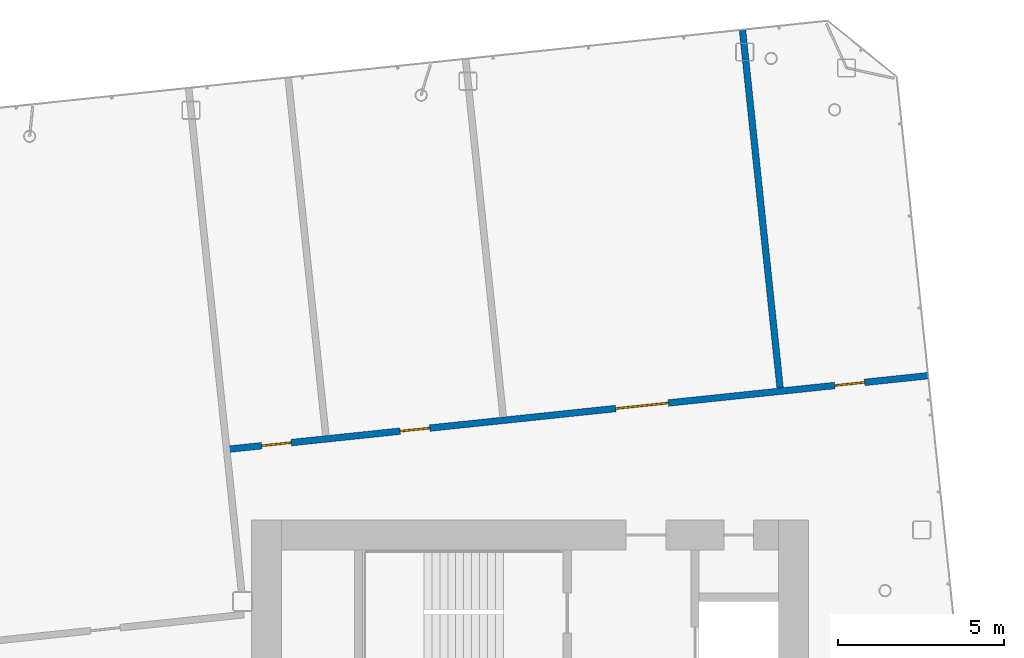
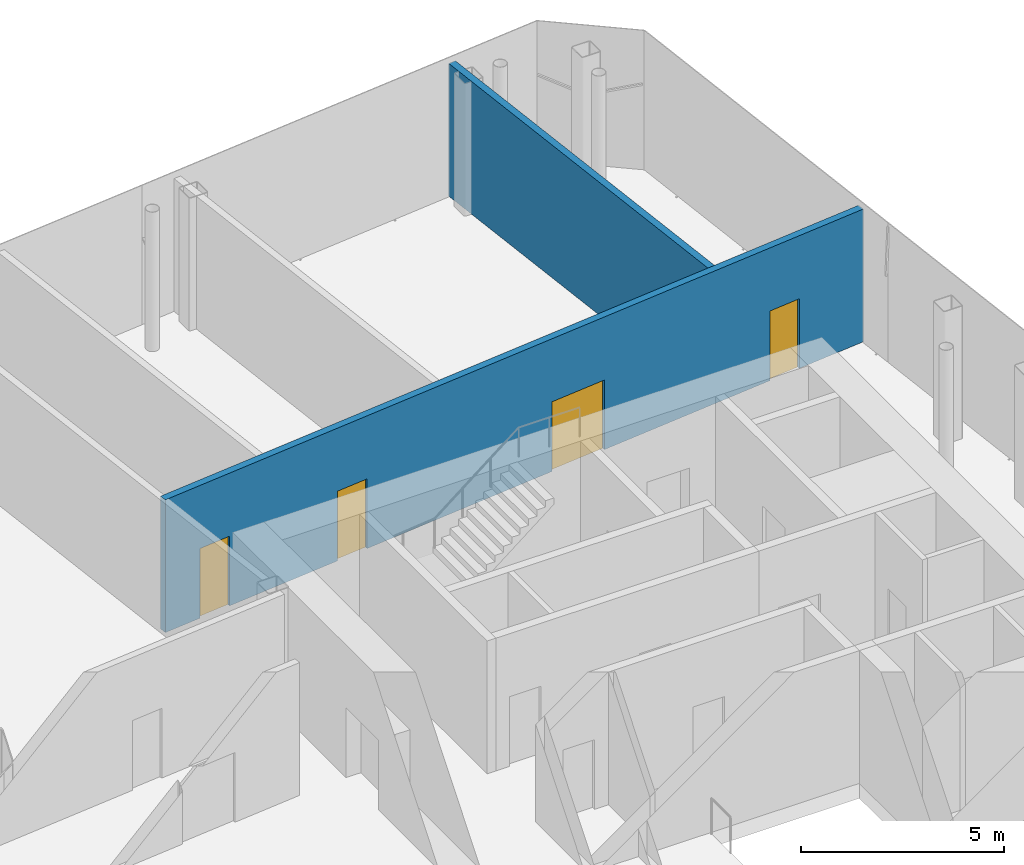
# One storey, part 11 of 28: 4 doors, 2 walls, 4 openings.
"""IFC4 building model written with IfcOpenShell, lengths in metres."""

from ifc_helpers import new_model, si_unit, direction, frame, frame_2d, origin, place, context, subcontext, project, spatial, rectangle, extrude, material, layer, layer_set, type_object, element, fill, save


model = new_model("IFC4")

# Units and contexts
model_context = context("Model", 3, precision=1e-05, world=origin(), true_north=direction((0.0, 1.0)))
body_context = subcontext(model_context, "Body", "Model", "MODEL_VIEW")
ifc_project = project(units=[si_unit("LENGTHUNIT", "METRE"), si_unit("AREAUNIT", "SQUARE_METRE"), si_unit("VOLUMEUNIT", "CUBIC_METRE"), si_unit("PLANEANGLEUNIT", "RADIAN"), si_unit("MASSUNIT", "GRAM", prefix="KILO")], contexts=[model_context])

# Site, building, storey
site_placement = place(None, origin())
site = spatial("IfcSite", under=ifc_project, at=site_placement, CompositionType="ELEMENT")
building_placement = place(site_placement, origin())
building = spatial("IfcBuilding", under=site, at=building_placement, Name="Hakoniwa Tower and Hamabe Station Hall", CompositionType="ELEMENT")
storey_placement = place(building_placement, frame((0.0, 0.0, 280.800048828125)))
storey = spatial("IfcBuildingStorey", under=building, at=storey_placement, Name="L78", CompositionType="ELEMENT", Elevation=280.800048828125)

# Wall, openings, doors
ifc_material_1 = material(Name="Fire-rated gypsum board partition", Category="gypsum")
ifc_layer_1 = layer(ifc_material_1, 0.199951171875)
ifc_layer_set_1 = layer_set([ifc_layer_1], Name="Corridor Wall 200")
wall_type_1 = type_object("IfcWallType", Name="Corridor Wall 200", PredefinedType="PARTITIONING", material=ifc_layer_set_1)
wall_1_placement = place(storey_placement, frame((16.04833984375, 10.533203125, 0.0), z_axis=(0.0, 0.0, 1.0), x_axis=(0.994522460242, 0.104523088709, 0.0)))
wall_1 = element("IfcWall", 1, at=wall_1_placement, inside=storey, type_object=wall_type_1, Name="GW-L78-005", PredefinedType="PARTITIONING", context=body_context, shape_type="SweptSolid", body=[
    extrude(rectangle(XDim=21.2998046875, YDim=0.199951171875, at=frame_2d((10.64990234375, 0.0))), origin(), (0.0, 0.0, 1.0), 4.0),
])
opening_1_placement = place(wall_1_placement, frame((1.06005859375, 0.0, 0.0)))
opening_1 = element("IfcOpeningElement", 2, at=opening_1_placement, cuts=wall_1, Name="Opening GD-SL78-14", PredefinedType="OPENING", context=body_context, shape_type="SweptSolid", body=[
    extrude(rectangle(XDim=0.89990234375, YDim=2.10009765625, at=frame_2d((0.449951171875, 1.050048828125))), frame((0.0, 0.10986328125, 0.0), z_axis=(0.0, -1.0, 0.0), x_axis=(1.0, 0.0, 0.0)), (0.0, 0.0, 1.0), 0.219970703125),
])
opening_2_placement = place(wall_1_placement, frame((5.260009765625, 0.0, 0.0)))
opening_2 = element("IfcOpeningElement", 3, at=opening_2_placement, cuts=wall_1, Name="Opening GD-SL78-15", PredefinedType="OPENING", context=body_context, shape_type="SweptSolid", body=[
    extrude(rectangle(XDim=0.89990234375, YDim=2.10009765625, at=frame_2d((0.449951171875, 1.050048828125))), frame((0.0, 0.10986328125, 0.0), z_axis=(0.0, -1.0, 0.0), x_axis=(1.0, 0.0, 0.0)), (0.0, 0.0, 1.0), 0.219970703125),
])
opening_3_placement = place(wall_1_placement, frame((11.800048828125, 0.0, 0.0)))
opening_3 = element("IfcOpeningElement", 4, at=opening_3_placement, cuts=wall_1, Name="Opening GD-SL78-16", PredefinedType="OPENING", context=body_context, shape_type="SweptSolid", body=[
    extrude(rectangle(XDim=1.60009765625, YDim=2.10009765625, at=frame_2d((0.800048828125, 1.050048828125))), frame((0.0, 0.10986328125, 0.0), z_axis=(0.0, -1.0, 0.0), x_axis=(1.0, 0.0, 0.0)), (0.0, 0.0, 1.0), 0.219970703125),
])
opening_4_placement = place(wall_1_placement, frame((18.449951171875, 0.0, 0.0)))
opening_4 = element("IfcOpeningElement", 5, at=opening_4_placement, cuts=wall_1, Name="Opening GD-SL78-17", PredefinedType="OPENING", context=body_context, shape_type="SweptSolid", body=[
    extrude(rectangle(XDim=0.89990234375, YDim=2.10009765625, at=frame_2d((0.449951171875, 1.050048828125))), frame((0.0, 0.10986328125, 0.0), z_axis=(0.0, -1.0, 0.0), x_axis=(1.0, 0.0, 0.0)), (0.0, 0.0, 1.0), 0.219970703125),
])
ifc_material_2 = material(Name="Timber door leaf", Category="wood")
door_type_1 = type_object("IfcDoorType", Name="Double Door 1600", OperationType="DOUBLE_DOOR_SINGLE_SWING", PredefinedType="DOOR", material=ifc_material_2)
door_1_placement = place(opening_3_placement, origin())
door_1 = element("IfcDoor", 6, at=door_1_placement, inside=storey, type_object=door_type_1, Name="Door GD-SL78-16", OperationType="DOUBLE_DOOR_SINGLE_SWING", OverallHeight=2.10009765625, OverallWidth=1.60009765625, PredefinedType="DOOR", context=body_context, shape_type="SweptSolid", body=[
    extrude(rectangle(XDim=1.60009765625, YDim=2.10009765625, at=frame_2d((0.800048828125, 1.050048828125))), frame((0.0, 0.02490234375, 0.0), z_axis=(0.0, -1.0, 0.0), x_axis=(1.0, 0.0, 0.0)), (0.0, 0.0, 1.0), 0.050048828125),
])
fill(opening_3, door_1)
ifc_material_3 = material(Name="Timber door leaf", Category="wood")
door_type_2 = type_object("IfcDoorType", Name="Service Door 900", OperationType="SINGLE_SWING_LEFT", PredefinedType="DOOR", material=ifc_material_3)
door_2_placement = place(opening_1_placement, origin())
door_2 = element("IfcDoor", 7, at=door_2_placement, inside=storey, type_object=door_type_2, Name="Door GD-SL78-14", OperationType="SINGLE_SWING_RIGHT", OverallHeight=2.10009765625, OverallWidth=0.89990234375, PredefinedType="DOOR", context=body_context, shape_type="SweptSolid", body=[
    extrude(rectangle(XDim=0.89990234375, YDim=2.10009765625, at=frame_2d((0.449951171875, 1.050048828125))), frame((0.0, 0.02490234375, 0.0), z_axis=(0.0, -1.0, 0.0), x_axis=(1.0, 0.0, 0.0)), (0.0, 0.0, 1.0), 0.050048828125),
])
fill(opening_1, door_2)
door_3_placement = place(opening_2_placement, origin())
door_3 = element("IfcDoor", 8, at=door_3_placement, inside=storey, type_object=door_type_2, Name="Door GD-SL78-15", OperationType="SINGLE_SWING_LEFT", OverallHeight=2.10009765625, OverallWidth=0.89990234375, PredefinedType="DOOR", context=body_context, shape_type="SweptSolid", body=[
    extrude(rectangle(XDim=0.89990234375, YDim=2.10009765625, at=frame_2d((0.449951171875, 1.050048828125))), frame((0.0, 0.02490234375, 0.0), z_axis=(0.0, -1.0, 0.0), x_axis=(1.0, 0.0, 0.0)), (0.0, 0.0, 1.0), 0.050048828125),
])
fill(opening_2, door_3)
door_4_placement = place(opening_4_placement, origin())
door_4 = element("IfcDoor", 9, at=door_4_placement, inside=storey, type_object=door_type_2, Name="Door GD-SL78-17", OperationType="SINGLE_SWING_RIGHT", OverallHeight=2.10009765625, OverallWidth=0.89990234375, PredefinedType="DOOR", context=body_context, shape_type="SweptSolid", body=[
    extrude(rectangle(XDim=0.89990234375, YDim=2.10009765625, at=frame_2d((0.449951171875, 1.050048828125))), frame((0.0, 0.02490234375, 0.0), z_axis=(0.0, -1.0, 0.0), x_axis=(1.0, 0.0, 0.0)), (0.0, 0.0, 1.0), 0.050048828125),
])
fill(opening_4, door_4)

# Wall
ifc_material_4 = material(Name="Fire-rated gypsum board partition", Category="gypsum")
ifc_layer_2 = layer(ifc_material_4, 0.199951171875)
ifc_layer_set_2 = layer_set([ifc_layer_2], Name="Party Wall 200")
wall_type_2 = type_object("IfcWallType", Name="Party Wall 200", PredefinedType="PARTITIONING", material=ifc_layer_set_2)
wall_2_placement = place(storey_placement, frame((32.745849609375, 12.388671875, 0.0), z_axis=(0.0, 0.0, 1.0), x_axis=(-0.104533048416, 0.994521413439, 0.0)))
element("IfcWall", 10, at=wall_2_placement, inside=storey, type_object=wall_type_2, Name="GW-L78-029", PredefinedType="PARTITIONING", context=body_context, shape_type="SweptSolid", body=[
    extrude(rectangle(XDim=10.88818359375, YDim=0.199951171875, at=frame_2d((5.444091796875, 0.0))), origin(), (0.0, 0.0, 1.0), 4.0),
])

save(model, "model.ifc")
